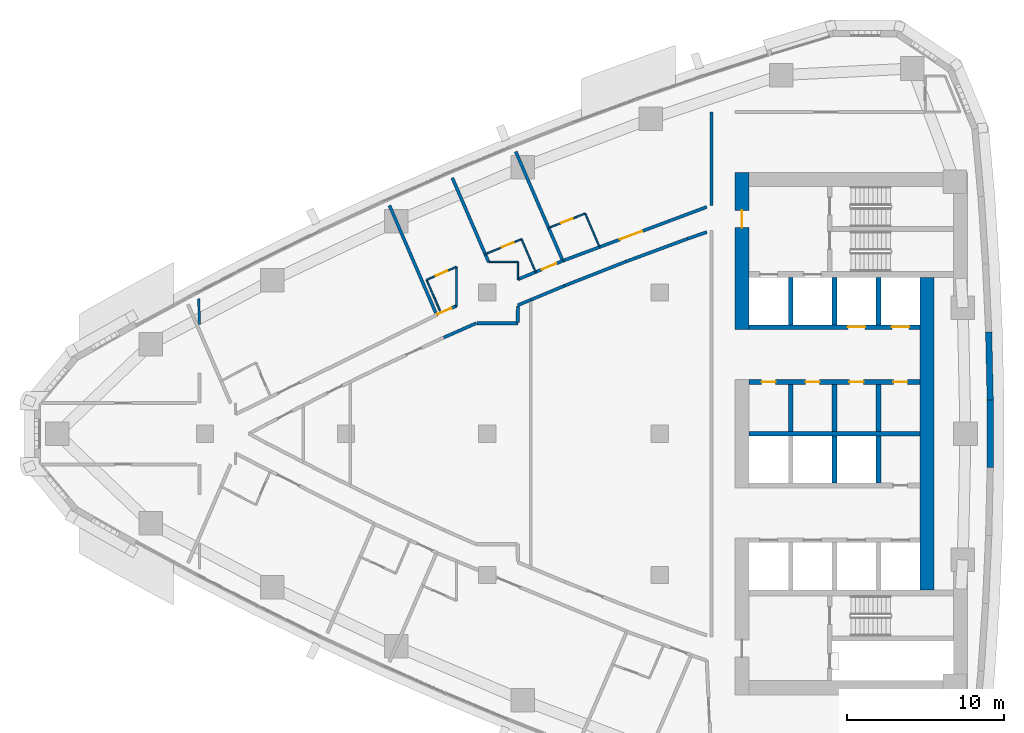
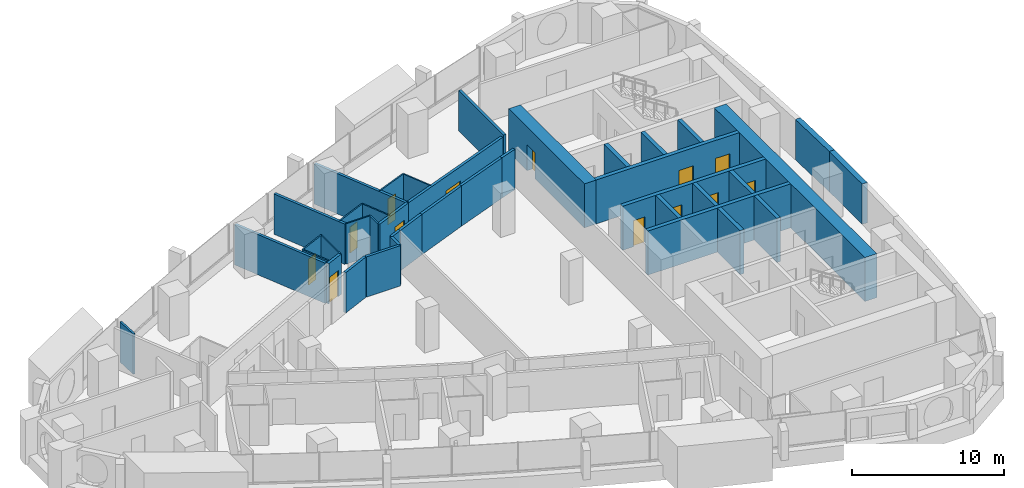
# One storey, part 11 of 17: 40 walls, 13 doors, 13 openings.
"""IFC4 building model written with IfcOpenShell, lengths in metres."""

from ifc_helpers import new_model, si_unit, direction, frame, frame_2d, origin, place, context, subcontext, project, spatial, polyline, rectangle, outline, extrude, material, layer, layer_set, type_object, element, fill, save


model = new_model("IFC4")

# Units and contexts
model_context = context("Model", 3, precision=1e-05, world=origin(), true_north=direction((0.0, 1.0)))
body_context = subcontext(model_context, "Body", "Model", "MODEL_VIEW")
ifc_project = project(units=[si_unit("LENGTHUNIT", "METRE"), si_unit("AREAUNIT", "SQUARE_METRE"), si_unit("VOLUMEUNIT", "CUBIC_METRE"), si_unit("PLANEANGLEUNIT", "RADIAN"), si_unit("MASSUNIT", "GRAM", prefix="KILO")], contexts=[model_context])

# Site, building, storey
site_placement = place(None, origin())
site = spatial("IfcSite", under=ifc_project, at=site_placement, CompositionType="ELEMENT")
building_placement = place(site_placement, origin())
building = spatial("IfcBuilding", under=site, at=building_placement, Name="Ostrand Prow Hotel Tower", CompositionType="ELEMENT")
storey_placement = place(building_placement, frame((0.0, 0.0, 130.199951171875)))
storey = spatial("IfcBuildingStorey", under=building, at=storey_placement, Name="L31", CompositionType="ELEMENT", Elevation=130.199951171875)

# Wall
ifc_material_1 = material(Name="Concrete C70/85", Category="concrete")
ifc_layer_1 = layer(ifc_material_1, 0.300048828125)
ifc_layer_set_1 = layer_set([ifc_layer_1], Name="Concrete C70/85")
wall_type_1 = type_object("IfcWallType", Name="Core wall 300 C70/85", PredefinedType="SHEAR", material=ifc_layer_set_1)
wall_1_placement = place(storey_placement, frame((50.699951171875, 0.0, 0.0), z_axis=(0.0, 0.0, 1.0), x_axis=(1.0, 0.0, 0.0)))
element("IfcWall", 1, at=wall_1_placement, inside=storey, type_object=wall_type_1, Name="Core wall PW-C", PredefinedType="SHEAR", context=body_context, shape_type="SweptSolid", body=[
    extrude(rectangle(XDim=10.900146484375, YDim=0.300048828125, at=frame_2d((5.4501953125, 0.0))), origin(), (0.0, 0.0, 1.0), 3.550048828125),
])

# Wall, openings, doors
wall_2_placement = place(storey_placement, frame((50.699951171875, 3.300048828125, 0.0), z_axis=(0.0, 0.0, 1.0), x_axis=(1.0, 0.0, 0.0)))
wall_2 = element("IfcWall", 2, at=wall_2_placement, inside=storey, type_object=wall_type_1, Name="Core wall PW-L1-N", PredefinedType="SHEAR", context=body_context, shape_type="SweptSolid", body=[
    extrude(rectangle(XDim=10.900146484375, YDim=0.300048828125, at=frame_2d((5.4501953125, 0.0))), origin(), (0.0, 0.0, 1.0), 3.550048828125),
])
opening_1_placement = place(wall_2_placement, frame((0.800048828125, 0.0, 0.0)))
opening_1 = element("IfcOpeningElement", 3, at=opening_1_placement, cuts=wall_2, Name="Opening FD2", PredefinedType="OPENING", context=body_context, shape_type="SweptSolid", body=[
    extrude(rectangle(XDim=0.89990234375, YDim=2.10009765625, at=frame_2d((0.449951171875, 1.050048828125))), frame((0.0, 0.159912109375, 0.0), z_axis=(0.0, -1.0, 0.0), x_axis=(1.0, 0.0, 0.0)), (0.0, 0.0, 1.0), 0.320068359375),
])
opening_2_placement = place(wall_2_placement, frame((3.60009765625, 0.0, 0.0)))
opening_2 = element("IfcOpeningElement", 4, at=opening_2_placement, cuts=wall_2, Name="Opening FD2", PredefinedType="OPENING", context=body_context, shape_type="SweptSolid", body=[
    extrude(rectangle(XDim=0.89990234375, YDim=2.10009765625, at=frame_2d((0.449951171875, 1.050048828125))), frame((0.0, 0.159912109375, 0.0), z_axis=(0.0, -1.0, 0.0), x_axis=(1.0, 0.0, 0.0)), (0.0, 0.0, 1.0), 0.320068359375),
])
opening_3_placement = place(wall_2_placement, frame((6.39990234375, 0.0, 0.0)))
opening_3 = element("IfcOpeningElement", 5, at=opening_3_placement, cuts=wall_2, Name="Opening FD2", PredefinedType="OPENING", context=body_context, shape_type="SweptSolid", body=[
    extrude(rectangle(XDim=0.89990234375, YDim=2.10009765625, at=frame_2d((0.449951171875, 1.050048828125))), frame((0.0, 0.159912109375, 0.0), z_axis=(0.0, -1.0, 0.0), x_axis=(1.0, 0.0, 0.0)), (0.0, 0.0, 1.0), 0.320068359375),
])
opening_4_placement = place(wall_2_placement, frame((9.199951171875, 0.0, 0.0)))
opening_4 = element("IfcOpeningElement", 6, at=opening_4_placement, cuts=wall_2, Name="Opening FD2", PredefinedType="OPENING", context=body_context, shape_type="SweptSolid", body=[
    extrude(rectangle(XDim=0.89990234375, YDim=2.10009765625, at=frame_2d((0.449951171875, 1.050048828125))), frame((0.0, 0.159912109375, 0.0), z_axis=(0.0, -1.0, 0.0), x_axis=(1.0, 0.0, 0.0)), (0.0, 0.0, 1.0), 0.320068359375),
])
ifc_material_2 = material(Name="Steel fire door", Category="steel")
door_type_1 = type_object("IfcDoorType", Name="Fire door 900 EI120", OperationType="SINGLE_SWING_LEFT", PredefinedType="DOOR", material=ifc_material_2)
door_1_placement = place(opening_1_placement, origin())
door_1 = element("IfcDoor", 7, at=door_1_placement, inside=storey, type_object=door_type_1, Name="DOOR", OperationType="SINGLE_SWING_LEFT", OverallHeight=2.10009765625, OverallWidth=0.89990234375, PredefinedType="DOOR", context=body_context, shape_type="SweptSolid", body=[
    extrude(rectangle(XDim=0.89990234375, YDim=2.10009765625, at=frame_2d((0.449951171875, 1.050048828125))), frame((0.0, 0.02490234375, 0.0), z_axis=(0.0, -1.0, 0.0), x_axis=(1.0, 0.0, 0.0)), (0.0, 0.0, 1.0), 0.050048828125),
])
fill(opening_1, door_1)
door_2_placement = place(opening_2_placement, origin())
door_2 = element("IfcDoor", 8, at=door_2_placement, inside=storey, type_object=door_type_1, Name="DOOR", OperationType="SINGLE_SWING_LEFT", OverallHeight=2.10009765625, OverallWidth=0.89990234375, PredefinedType="DOOR", context=body_context, shape_type="SweptSolid", body=[
    extrude(rectangle(XDim=0.89990234375, YDim=2.10009765625, at=frame_2d((0.449951171875, 1.050048828125))), frame((0.0, 0.02490234375, 0.0), z_axis=(0.0, -1.0, 0.0), x_axis=(1.0, 0.0, 0.0)), (0.0, 0.0, 1.0), 0.050048828125),
])
fill(opening_2, door_2)
door_3_placement = place(opening_3_placement, origin())
door_3 = element("IfcDoor", 9, at=door_3_placement, inside=storey, type_object=door_type_1, Name="DOOR", OperationType="SINGLE_SWING_LEFT", OverallHeight=2.10009765625, OverallWidth=0.89990234375, PredefinedType="DOOR", context=body_context, shape_type="SweptSolid", body=[
    extrude(rectangle(XDim=0.89990234375, YDim=2.10009765625, at=frame_2d((0.449951171875, 1.050048828125))), frame((0.0, 0.02490234375, 0.0), z_axis=(0.0, -1.0, 0.0), x_axis=(1.0, 0.0, 0.0)), (0.0, 0.0, 1.0), 0.050048828125),
])
fill(opening_3, door_3)
door_4_placement = place(opening_4_placement, origin())
door_4 = element("IfcDoor", 10, at=door_4_placement, inside=storey, type_object=door_type_1, Name="DOOR", OperationType="SINGLE_SWING_LEFT", OverallHeight=2.10009765625, OverallWidth=0.89990234375, PredefinedType="DOOR", context=body_context, shape_type="SweptSolid", body=[
    extrude(rectangle(XDim=0.89990234375, YDim=2.10009765625, at=frame_2d((0.449951171875, 1.050048828125))), frame((0.0, 0.02490234375, 0.0), z_axis=(0.0, -1.0, 0.0), x_axis=(1.0, 0.0, 0.0)), (0.0, 0.0, 1.0), 0.050048828125),
])
fill(opening_4, door_4)

wall_3_placement = place(storey_placement, frame((50.699951171875, 6.800048828125, 0.0), z_axis=(0.0, 0.0, 1.0), x_axis=(1.0, 0.0, 0.0)))
wall_3 = element("IfcWall", 11, at=wall_3_placement, inside=storey, type_object=wall_type_1, Name="Core wall PW-L2-N", PredefinedType="SHEAR", context=body_context, shape_type="SweptSolid", body=[
    extrude(rectangle(XDim=10.900146484375, YDim=0.300048828125, at=frame_2d((5.4501953125, 0.0))), origin(), (0.0, 0.0, 1.0), 3.550048828125),
])
opening_5_placement = place(wall_3_placement, frame((6.300048828125, 0.0, 0.0)))
opening_5 = element("IfcOpeningElement", 12, at=opening_5_placement, cuts=wall_3, Name="Opening LD", PredefinedType="OPENING", context=body_context, shape_type="SweptSolid", body=[
    extrude(rectangle(XDim=1.10009765625, YDim=2.10009765625, at=frame_2d((0.550048828125, 1.050048828125))), frame((0.0, 0.159912109375, 0.0), z_axis=(0.0, -1.0, 0.0), x_axis=(1.0, 0.0, 0.0)), (0.0, 0.0, 1.0), 0.320068359375),
])
opening_6_placement = place(wall_3_placement, frame((9.10009765625, 0.0, 0.0)))
opening_6 = element("IfcOpeningElement", 13, at=opening_6_placement, cuts=wall_3, Name="Opening LD", PredefinedType="OPENING", context=body_context, shape_type="SweptSolid", body=[
    extrude(rectangle(XDim=1.10009765625, YDim=2.10009765625, at=frame_2d((0.550048828125, 1.050048828125))), frame((0.0, 0.159912109375, 0.0), z_axis=(0.0, -1.0, 0.0), x_axis=(1.0, 0.0, 0.0)), (0.0, 0.0, 1.0), 0.320068359375),
])
ifc_material_3 = material(Name="Stainless steel door", Category="steel")
door_type_2 = type_object("IfcDoorType", Name="Lift landing door 1100", OperationType="DOUBLE_DOOR_SLIDING", PredefinedType="DOOR", material=ifc_material_3)
door_5_placement = place(opening_5_placement, origin())
door_5 = element("IfcDoor", 14, at=door_5_placement, inside=storey, type_object=door_type_2, Name="LIFT LANDING DOOR", OperationType="DOUBLE_DOOR_SLIDING", OverallHeight=2.10009765625, OverallWidth=1.10009765625, PredefinedType="DOOR", context=body_context, shape_type="SweptSolid", body=[
    extrude(rectangle(XDim=1.10009765625, YDim=2.10009765625, at=frame_2d((0.550048828125, 1.050048828125))), frame((0.0, 0.02490234375, 0.0), z_axis=(0.0, -1.0, 0.0), x_axis=(1.0, 0.0, 0.0)), (0.0, 0.0, 1.0), 0.050048828125),
])
fill(opening_5, door_5)
door_6_placement = place(opening_6_placement, origin())
door_6 = element("IfcDoor", 15, at=door_6_placement, inside=storey, type_object=door_type_2, Name="LIFT LANDING DOOR", OperationType="DOUBLE_DOOR_SLIDING", OverallHeight=2.10009765625, OverallWidth=1.10009765625, PredefinedType="DOOR", context=body_context, shape_type="SweptSolid", body=[
    extrude(rectangle(XDim=1.10009765625, YDim=2.10009765625, at=frame_2d((0.550048828125, 1.050048828125))), frame((0.0, 0.02490234375, 0.0), z_axis=(0.0, -1.0, 0.0), x_axis=(1.0, 0.0, 0.0)), (0.0, 0.0, 1.0), 0.050048828125),
])
fill(opening_6, door_6)

# Walls
for number, where, z_axis, x_axis, name in (
    (16, (53.35009765625, 0.14990234375, 0.0), (0.0, 0.0, 1.0), (0.0, 1.0, 0.0), "Core wall PW-R1-NB"),
    (17, (53.35009765625, 6.949951171875, 0.0), (0.0, 0.0, 1.0), (0.0, 1.0, 0.0), "Core wall PW-R1-NA"),
    (18, (56.14990234375, 0.14990234375, 0.0), (0.0, 0.0, 1.0), (0.0, 1.0, 0.0), "Core wall PW-R2-NB"),
    (19, (56.14990234375, 6.949951171875, 0.0), (0.0, 0.0, 1.0), (0.0, 1.0, 0.0), "Core wall PW-R2-NA"),
    (20, (58.949951171875, 0.14990234375, 0.0), (0.0, 0.0, 1.0), (0.0, 1.0, 0.0), "Core wall PW-R3-NB"),
    (21, (58.949951171875, 6.949951171875, 0.0), (0.0, 0.0, 1.0), (0.0, 1.0, 0.0), "Core wall PW-R3-NA"),
    (22, (56.14990234375, -3.14990234375, 0.0), (0.0, 0.0, 1.0), (0.0, 1.0, 0.0), "Core wall PW-R2-SB"),
    (23, (58.949951171875, -3.14990234375, 0.0), (0.0, 0.0, 1.0), (0.0, 1.0, 0.0), "Core wall PW-R3-SB"),
):
    element("IfcWall", number, at=place(storey_placement, frame(where, z_axis=z_axis, x_axis=x_axis)), inside=storey, type_object=wall_type_1, Name=name, PredefinedType="SHEAR", context=body_context, shape_type="SweptSolid", body=[
        extrude(rectangle(XDim=3.0, YDim=0.300048828125, at=frame_2d((1.5, 0.0))), origin(), (0.0, 0.0, 1.0), 3.550048828125),
    ])

# Wall, opening, door
ifc_material_4 = material(Name="Concrete C70/85", Category="concrete")
ifc_layer_2 = layer(ifc_material_4, 0.89990234375)
ifc_layer_set_2 = layer_set([ifc_layer_2], Name="Concrete C70/85")
wall_type_2 = type_object("IfcWallType", Name="Core wall 900 C70/85", PredefinedType="SHEAR", material=ifc_layer_set_2)
wall_4_placement = place(storey_placement, frame((50.25, 6.64990234375, 0.0), z_axis=(0.0, 0.0, 1.0), x_axis=(0.0, 1.0, 0.0)))
wall_4 = element("IfcWall", 24, at=wall_4_placement, inside=storey, type_object=wall_type_2, Name="Core wall CW-W-N", PredefinedType="SHEAR", context=body_context, shape_type="SweptSolid", body=[
    extrude(rectangle(XDim=10.0, YDim=0.89990234375, at=frame_2d((5.0, 0.0))), origin(), (0.0, 0.0, 1.0), 3.550048828125),
])
opening_7_placement = place(wall_4_placement, frame((6.5, 0.0, 0.0)))
opening_7 = element("IfcOpeningElement", 25, at=opening_7_placement, cuts=wall_4, Name="Opening FD1", PredefinedType="OPENING", context=body_context, shape_type="SweptSolid", body=[
    extrude(rectangle(XDim=1.10009765625, YDim=2.10009765625, at=frame_2d((0.550048828125, 1.050048828125))), frame((0.0, 0.4599609375, 0.0), z_axis=(0.0, -1.0, 0.0), x_axis=(1.0, 0.0, 0.0)), (0.0, 0.0, 1.0), 0.919921875),
])
ifc_material_5 = material(Name="Steel fire door", Category="steel")
door_type_3 = type_object("IfcDoorType", Name="Fire door 1100 EI120", OperationType="SINGLE_SWING_RIGHT", PredefinedType="DOOR", material=ifc_material_5)
door_7_placement = place(opening_7_placement, origin())
door_7 = element("IfcDoor", 26, at=door_7_placement, inside=storey, type_object=door_type_3, Name="FIRE DOOR", OperationType="SINGLE_SWING_RIGHT", OverallHeight=2.10009765625, OverallWidth=1.10009765625, PredefinedType="DOOR", context=body_context, shape_type="SweptSolid", body=[
    extrude(rectangle(XDim=1.10009765625, YDim=2.10009765625, at=frame_2d((0.550048828125, 1.050048828125))), frame((0.0, 0.02490234375, 0.0), z_axis=(0.0, -1.0, 0.0), x_axis=(1.0, 0.0, 0.0)), (0.0, 0.0, 1.0), 0.050048828125),
])
fill(opening_7, door_7)

# Wall
wall_5_placement = place(storey_placement, frame((62.050048828125, -9.949951171875, 0.0), z_axis=(0.0, 0.0, 1.0), x_axis=(0.0, 1.0, 0.0)))
element("IfcWall", 27, at=wall_5_placement, inside=storey, type_object=wall_type_2, Name="Core wall CW-E-C", PredefinedType="SHEAR", context=body_context, shape_type="SweptSolid", body=[
    extrude(rectangle(XDim=19.89990234375, YDim=0.89990234375, at=frame_2d((9.949951171875, 0.0))), origin(), (0.0, 0.0, 1.0), 3.550048828125),
])

# Wall, opening, door
ifc_material_6 = material(Name="Plasterboard partition")
ifc_layer_3 = layer(ifc_material_6, 0.10009765625)
ifc_layer_set_3 = layer_set([ifc_layer_3], Name="Plasterboard partition")
wall_type_3 = type_object("IfcWallType", Name="Partition 100 bathroom wall", PredefinedType="PARTITIONING", material=ifc_layer_set_3)
wall_6_placement = place(storey_placement, frame((30.144287109375, 9.80859375, 0.0), z_axis=(0.0, 0.0, 1.0), x_axis=(0.915122534717, 0.40317582573, 0.0)))
wall_6 = element("IfcWall", 28, at=wall_6_placement, inside=storey, type_object=wall_type_3, Name="BATHROOM WALL", PredefinedType="PARTITIONING", context=body_context, shape_type="SweptSolid", body=[
    extrude(rectangle(XDim=2.058349609375, YDim=0.10009765625, at=frame_2d((1.029296875, 0.0))), origin(), (0.0, 0.0, 1.0), 3.25),
])
opening_8_placement = place(wall_6_placement, frame((0.64990234375, 0.0, 0.0)))
opening_8 = element("IfcOpeningElement", 29, at=opening_8_placement, cuts=wall_6, Name="Opening D2", PredefinedType="OPENING", context=body_context, shape_type="SweptSolid", body=[
    extrude(rectangle(XDim=0.800048828125, YDim=2.10009765625, at=frame_2d((0.39990234375, 1.050048828125))), frame((0.0, 0.06005859375, 0.0), z_axis=(0.0, -1.0, 0.0), x_axis=(1.0, 0.0, 0.0)), (0.0, 0.0, 1.0), 0.1201171875),
])
ifc_material_7 = material(Name="Timber door leaf", Category="wood")
door_type_4 = type_object("IfcDoorType", Name="Bathroom door 800", OperationType="SINGLE_SWING_LEFT", PredefinedType="DOOR", material=ifc_material_7)
door_8_placement = place(opening_8_placement, origin())
door_8 = element("IfcDoor", 30, at=door_8_placement, inside=storey, type_object=door_type_4, Name="DOOR", OperationType="SINGLE_SWING_LEFT", OverallHeight=2.10009765625, OverallWidth=0.800048828125, PredefinedType="DOOR", context=body_context, shape_type="SweptSolid", body=[
    extrude(rectangle(XDim=0.800048828125, YDim=2.10009765625, at=frame_2d((0.39990234375, 1.050048828125))), frame((0.0, 0.02490234375, 0.0), z_axis=(0.0, -1.0, 0.0), x_axis=(1.0, 0.0, 0.0)), (0.0, 0.0, 1.0), 0.050048828125),
])
fill(opening_8, door_8)

# Wall
wall_7_placement = place(storey_placement, frame((30.990478515625, 7.84619140625, 0.0), z_axis=(0.0, 0.0, 1.0), x_axis=(-0.396055229638, 0.918226690462, 0.0)))
element("IfcWall", 31, at=wall_7_placement, inside=storey, type_object=wall_type_3, Name="BATHROOM WALL", PredefinedType="PARTITIONING", context=body_context, shape_type="SweptSolid", body=[
    extrude(rectangle(XDim=2.13720703125, YDim=0.10009765625, at=frame_2d((1.068603515625, 0.0))), origin(), (0.0, 0.0, 1.0), 3.25),
])

# Wall, opening, door
wall_8_placement = place(storey_placement, frame((33.87744140625, 11.4462890625, 0.0), z_axis=(0.0, 0.0, 1.0), x_axis=(0.923033583854, 0.384719382248, 0.0)))
wall_8 = element("IfcWall", 32, at=wall_8_placement, inside=storey, type_object=wall_type_3, Name="BATHROOM WALL", PredefinedType="PARTITIONING", context=body_context, shape_type="SweptSolid", body=[
    extrude(rectangle(XDim=2.500244140625, YDim=0.10009765625, at=frame_2d((1.25, 0.0))), origin(), (0.0, 0.0, 1.0), 3.25),
])
opening_9_placement = place(wall_8_placement, frame((1.14990234375, 0.0, 0.0)))
opening_9 = element("IfcOpeningElement", 33, at=opening_9_placement, cuts=wall_8, Name="Opening D2", PredefinedType="OPENING", context=body_context, shape_type="SweptSolid", body=[
    extrude(rectangle(XDim=0.800048828125, YDim=2.10009765625, at=frame_2d((0.39990234375, 1.050048828125))), frame((0.0, 0.06005859375, 0.0), z_axis=(0.0, -1.0, 0.0), x_axis=(1.0, 0.0, 0.0)), (0.0, 0.0, 1.0), 0.1201171875),
])
door_9_placement = place(opening_9_placement, origin())
door_9 = element("IfcDoor", 34, at=door_9_placement, inside=storey, type_object=door_type_4, Name="DOOR", OperationType="SINGLE_SWING_LEFT", OverallHeight=2.10009765625, OverallWidth=0.800048828125, PredefinedType="DOOR", context=body_context, shape_type="SweptSolid", body=[
    extrude(rectangle(XDim=0.800048828125, YDim=2.10009765625, at=frame_2d((0.39990234375, 1.050048828125))), frame((0.0, 0.02490234375, 0.0), z_axis=(0.0, -1.0, 0.0), x_axis=(1.0, 0.0, 0.0)), (0.0, 0.0, 1.0), 0.050048828125),
])
fill(opening_9, door_9)

# Wall
wall_9_placement = place(storey_placement, frame((36.185302734375, 12.408203125, 0.0), z_axis=(0.0, 0.0, 1.0), x_axis=(0.395936907069, -0.918277717045, 0.0)))
element("IfcWall", 35, at=wall_9_placement, inside=storey, type_object=wall_type_3, Name="BATHROOM WALL", PredefinedType="PARTITIONING", context=body_context, shape_type="SweptSolid", body=[
    extrude(rectangle(XDim=2.277099609375, YDim=0.10009765625, at=frame_2d((1.138671875, 0.0))), origin(), (0.0, 0.0, 1.0), 3.25),
])

# Wall, opening, door
wall_10_placement = place(storey_placement, frame((37.921142578125, 13.122314453125, 0.0), z_axis=(0.0, 0.0, 1.0), x_axis=(0.930555592459, 0.366150637503, 0.0)))
wall_10 = element("IfcWall", 36, at=wall_10_placement, inside=storey, type_object=wall_type_3, Name="BATHROOM WALL", PredefinedType="PARTITIONING", context=body_context, shape_type="SweptSolid", body=[
    extrude(rectangle(XDim=2.5009765625, YDim=0.10009765625, at=frame_2d((1.25048828125, 0.0))), origin(), (0.0, 0.0, 1.0), 3.25),
])
opening_10_placement = place(wall_10_placement, frame((0.85009765625, 0.0, 0.0)))
opening_10 = element("IfcOpeningElement", 37, at=opening_10_placement, cuts=wall_10, Name="Opening D2", PredefinedType="OPENING", context=body_context, shape_type="SweptSolid", body=[
    extrude(rectangle(XDim=0.800048828125, YDim=2.10009765625, at=frame_2d((0.39990234375, 1.050048828125))), frame((0.0, 0.06005859375, 0.0), z_axis=(0.0, -1.0, 0.0), x_axis=(1.0, 0.0, 0.0)), (0.0, 0.0, 1.0), 0.1201171875),
])
door_10_placement = place(opening_10_placement, origin())
door_10 = element("IfcDoor", 38, at=door_10_placement, inside=storey, type_object=door_type_4, Name="DOOR", OperationType="SINGLE_SWING_LEFT", OverallHeight=2.10009765625, OverallWidth=0.800048828125, PredefinedType="DOOR", context=body_context, shape_type="SweptSolid", body=[
    extrude(rectangle(XDim=0.800048828125, YDim=2.10009765625, at=frame_2d((0.39990234375, 1.050048828125))), frame((0.0, 0.02490234375, 0.0), z_axis=(0.0, -1.0, 0.0), x_axis=(1.0, 0.0, 0.0)), (0.0, 0.0, 1.0), 0.050048828125),
])
fill(opening_10, door_10)

# Walls
wall_11_placement = place(storey_placement, frame((40.248779296875, 14.0380859375, 0.0), z_axis=(0.0, 0.0, 1.0), x_axis=(0.39596178423, -0.918266990275, 0.0)))
element("IfcWall", 39, at=wall_11_placement, inside=storey, type_object=wall_type_3, Name="BATHROOM WALL", PredefinedType="PARTITIONING", context=body_context, shape_type="SweptSolid", body=[
    extrude(rectangle(XDim=2.2783203125, YDim=0.10009765625, at=frame_2d((1.13916015625, 0.0))), origin(), (0.0, 0.0, 1.0), 3.25),
])
wall_12_placement = place(storey_placement, frame((32.044921875, 10.6611328125, 0.0), z_axis=(0.0, 0.0, 1.0), x_axis=(0.0, -1.0, 0.0)))
element("IfcWall", 40, at=wall_12_placement, inside=storey, type_object=wall_type_3, Name="BATHROOM WALL", PredefinedType="PARTITIONING", context=body_context, shape_type="SweptSolid", body=[
    extrude(rectangle(XDim=2.52294921875, YDim=0.10009765625, at=frame_2d((1.261474609375, 0.0))), origin(), (0.0, 0.0, 1.0), 3.25),
])
wall_13_placement = place(storey_placement, frame((35.95703125, 9.82666015625, 0.0), z_axis=(0.0, 0.0, 1.0), x_axis=(-0.003465432949, 0.999993995369, 0.0)))
element("IfcWall", 41, at=wall_13_placement, inside=storey, type_object=wall_type_3, Name="BATHROOM WALL", PredefinedType="PARTITIONING", context=body_context, shape_type="SweptSolid", body=[
    extrude(rectangle(XDim=1.127197265625, YDim=0.10009765625, at=frame_2d((0.5634765625, 0.0))), origin(), (0.0, 0.0, 1.0), 3.25),
])
wall_14_placement = place(storey_placement, frame((35.953125, 10.953857421875, 0.0), z_axis=(0.0, 0.0, 1.0), x_axis=(-0.999999785511, 0.000654964491, 0.0)))
element("IfcWall", 42, at=wall_14_placement, inside=storey, type_object=wall_type_3, Name="BATHROOM WALL", PredefinedType="PARTITIONING", context=body_context, shape_type="SweptSolid", body=[
    extrude(rectangle(XDim=1.86376953125, YDim=0.10009765625, at=frame_2d((0.931884765625, 0.0))), origin(), (0.0, 0.0, 1.0), 3.25),
])
ifc_material_8 = material(Name="Plasterboard partition")
ifc_layer_4 = layer(ifc_material_8, 0.14990234375)
ifc_layer_set_4 = layer_set([ifc_layer_4], Name="Plasterboard partition")
wall_type_4 = type_object("IfcWallType", Name="Partition 150 room partition", PredefinedType="PARTITIONING", material=ifc_layer_set_4)
wall_15_placement = place(storey_placement, frame((15.603759765625, 8.60888671875, 0.0), z_axis=(0.0, 0.0, 1.0), x_axis=(0.033196927484, -0.999448830109, 0.0)))
element("IfcWall", 43, at=wall_15_placement, inside=storey, type_object=wall_type_4, Name="ROOM PARTITION", PredefinedType="PARTITIONING", context=body_context, shape_type="SweptSolid", body=[
    extrude(rectangle(XDim=1.65478515625, YDim=0.14990234375, at=frame_2d((0.827392578125, 0.0))), origin(), (0.0, 0.0, 1.0), 3.25),
])

# Wall, opening, door
ifc_material_9 = material(Name="Plasterboard partition")
ifc_layer_5 = layer(ifc_material_9, 0.199951171875)
ifc_layer_set_5 = layer_set([ifc_layer_5], Name="Plasterboard partition")
wall_type_5 = type_object("IfcWallType", Name="Partition 200 corridor wall", PredefinedType="PARTITIONING", material=ifc_layer_set_5)
wall_16_placement = place(storey_placement, frame((32.050048828125, 8.15673828125, 0.0), z_axis=(0.0, 0.0, 1.0), x_axis=(-0.915155082005, -0.403101942293, 0.0)))
wall_16 = element("IfcWall", 44, at=wall_16_placement, inside=storey, type_object=wall_type_5, Name="CORRIDOR WALL", PredefinedType="PARTITIONING", context=body_context, shape_type="SweptSolid", body=[
    extrude(rectangle(XDim=1.39599609375, YDim=0.199951171875, at=frame_2d((0.697998046875, 0.0))), origin(), (0.0, 0.0, 1.0), 3.25),
])
opening_11_placement = place(wall_16_placement, frame((0.345947265625, 0.0, 0.0)))
opening_11 = element("IfcOpeningElement", 45, at=opening_11_placement, cuts=wall_16, Name="Opening D1R", PredefinedType="OPENING", context=body_context, shape_type="SweptSolid", body=[
    extrude(rectangle(XDim=1.0, YDim=2.10009765625, at=frame_2d((0.5, 1.050048828125))), frame((0.0, 0.10986328125, 0.0), z_axis=(0.0, -1.0, 0.0), x_axis=(1.0, 0.0, 0.0)), (0.0, 0.0, 1.0), 0.219970703125),
])
ifc_material_10 = material(Name="Timber door leaf", Category="wood")
door_type_5 = type_object("IfcDoorType", Name="Guest room door 1000 right", OperationType="SINGLE_SWING_RIGHT", PredefinedType="DOOR", material=ifc_material_10)
door_11_placement = place(opening_11_placement, origin())
door_11 = element("IfcDoor", 46, at=door_11_placement, inside=storey, type_object=door_type_5, Name="DOOR", OperationType="SINGLE_SWING_RIGHT", OverallHeight=2.10009765625, OverallWidth=1.0, PredefinedType="DOOR", context=body_context, shape_type="SweptSolid", body=[
    extrude(rectangle(XDim=1.0, YDim=2.10009765625, at=frame_2d((0.5, 1.050048828125))), frame((0.0, 0.02490234375, 0.0), z_axis=(0.0, -1.0, 0.0), x_axis=(1.0, 0.0, 0.0)), (0.0, 0.0, 1.0), 0.050048828125),
])
fill(opening_11, door_11)

wall_17_placement = place(storey_placement, frame((38.824462890625, 11.027587890625, 0.0), z_axis=(0.0, 0.0, 1.0), x_axis=(-0.924238544028, -0.381815549359, 0.0)))
wall_17 = element("IfcWall", 47, at=wall_17_placement, inside=storey, type_object=wall_type_5, Name="CORRIDOR WALL", PredefinedType="PARTITIONING", context=body_context, shape_type="SweptSolid", body=[
    extrude(rectangle(XDim=3.110107421875, YDim=0.199951171875, at=frame_2d((1.55517578125, 0.0))), origin(), (0.0, 0.0, 1.0), 3.25),
])
opening_12_placement = place(wall_17_placement, frame((0.449951171875, 0.0, 0.0)))
opening_12 = element("IfcOpeningElement", 48, at=opening_12_placement, cuts=wall_17, Name="Opening D1R", PredefinedType="OPENING", context=body_context, shape_type="SweptSolid", body=[
    extrude(rectangle(XDim=1.0, YDim=2.10009765625, at=frame_2d((0.5, 1.050048828125))), frame((0.0, 0.10986328125, 0.0), z_axis=(0.0, -1.0, 0.0), x_axis=(1.0, 0.0, 0.0)), (0.0, 0.0, 1.0), 0.219970703125),
])
door_12_placement = place(opening_12_placement, origin())
door_12 = element("IfcDoor", 49, at=door_12_placement, inside=storey, type_object=door_type_5, Name="DOOR", OperationType="SINGLE_SWING_RIGHT", OverallHeight=2.10009765625, OverallWidth=1.0, PredefinedType="DOOR", context=body_context, shape_type="SweptSolid", body=[
    extrude(rectangle(XDim=1.0, YDim=2.10009765625, at=frame_2d((0.5, 1.050048828125))), frame((0.0, 0.02490234375, 0.0), z_axis=(0.0, -1.0, 0.0), x_axis=(1.0, 0.0, 0.0)), (0.0, 0.0, 1.0), 0.050048828125),
])
fill(opening_12, door_12)

# Walls
wall_18_placement = place(storey_placement, frame((31.231201171875, 6.135009765625, 0.0), z_axis=(0.0, 0.0, 1.0), x_axis=(0.915102334452, 0.403221672881, 0.0)))
element("IfcWall", 50, at=wall_18_placement, inside=storey, type_object=wall_type_5, Name="CORRIDOR WALL", PredefinedType="PARTITIONING", context=body_context, shape_type="SweptSolid", body=[
    extrude(rectangle(XDim=2.269287109375, YDim=0.199951171875, at=frame_2d((1.134765625, 0.0))), origin(), (0.0, 0.0, 1.0), 3.25),
])
wall_19_placement = place(storey_placement, frame((35.949951171875, 8.193115234375, 0.0), z_axis=(0.0, 0.0, 1.0), x_axis=(0.922997009646, 0.384807120756, 0.0)))
element("IfcWall", 51, at=wall_19_placement, inside=storey, type_object=wall_type_5, Name="CORRIDOR WALL", PredefinedType="PARTITIONING", context=body_context, shape_type="SweptSolid", body=[
    extrude(rectangle(XDim=0.904052734375, YDim=0.199951171875, at=frame_2d((0.4521484375, 0.0))), origin(), (0.0, 0.0, 1.0), 3.25),
])
for number, where, z_axis, x_axis, name in (
    (52, (38.943115234375, 9.44091796875, 0.0), (0.0, 0.0, 1.0), (0.930576677263, 0.36609704688, 0.0), "CORRIDOR WALL"),
    (53, (42.84716796875, 10.976806640625, 0.0), (0.0, 0.0, 1.0), (0.937732614305, 0.347357948044, 0.0), "CORRIDOR WALL"),
):
    element("IfcWall", number, at=place(storey_placement, frame(where, z_axis=z_axis, x_axis=x_axis)), inside=storey, type_object=wall_type_5, Name=name, PredefinedType="PARTITIONING", context=body_context, shape_type="SweptSolid", body=[
        extrude(rectangle(XDim=4.1953125, YDim=0.199951171875, at=frame_2d((2.09765625, 0.0))), origin(), (0.0, 0.0, 1.0), 3.25),
    ])
wall_20_placement = place(storey_placement, frame((36.784423828125, 8.541015625, 0.0), z_axis=(0.0, 0.0, 1.0), x_axis=(0.923008963065, 0.384778448073, 0.0)))
element("IfcWall", 54, at=wall_20_placement, inside=storey, type_object=wall_type_5, Name="CORRIDOR WALL", PredefinedType="PARTITIONING", context=body_context, shape_type="SweptSolid", body=[
    extrude(rectangle(XDim=2.3388671875, YDim=0.199951171875, at=frame_2d((1.16943359375, 0.0))), origin(), (0.0, 0.0, 1.0), 3.25),
])

# Wall, opening, door
wall_21_placement = place(storey_placement, frame((48.0, 14.459228515625, 0.0), z_axis=(0.0, 0.0, 1.0), x_axis=(-0.936637096294, -0.350301227297, 0.0)))
wall_21 = element("IfcWall", 55, at=wall_21_placement, inside=storey, type_object=wall_type_5, Name="CORRIDOR WALL", PredefinedType="PARTITIONING", context=body_context, shape_type="SweptSolid", body=[
    extrude(rectangle(XDim=9.796142578125, YDim=0.199951171875, at=frame_2d((4.89794921875, 0.0))), origin(), (0.0, 0.0, 1.0), 3.25),
])
opening_13_placement = place(wall_21_placement, frame((4.39794921875, 0.0, 0.0)))
opening_13 = element("IfcOpeningElement", 56, at=opening_13_placement, cuts=wall_21, Name="Opening D15", PredefinedType="OPENING", context=body_context, shape_type="SweptSolid", body=[
    extrude(rectangle(XDim=1.5, YDim=2.10009765625, at=frame_2d((0.75, 1.050048828125))), frame((0.0, 0.10986328125, 0.0), z_axis=(0.0, -1.0, 0.0), x_axis=(1.0, 0.0, 0.0)), (0.0, 0.0, 1.0), 0.219970703125),
])
ifc_material_11 = material(Name="Timber door leaf", Category="wood")
door_type_6 = type_object("IfcDoorType", Name="Double door 1500", OperationType="DOUBLE_DOOR_SINGLE_SWING", PredefinedType="DOOR", material=ifc_material_11)
door_13_placement = place(opening_13_placement, origin())
door_13 = element("IfcDoor", 57, at=door_13_placement, inside=storey, type_object=door_type_6, Name="DOOR", OperationType="DOUBLE_DOOR_SINGLE_SWING", OverallHeight=2.10009765625, OverallWidth=1.5, PredefinedType="DOOR", context=body_context, shape_type="SweptSolid", body=[
    extrude(rectangle(XDim=1.5, YDim=2.10009765625, at=frame_2d((0.75, 1.050048828125))), frame((0.0, 0.02490234375, 0.0), z_axis=(0.0, -1.0, 0.0), x_axis=(1.0, 0.0, 0.0)), (0.0, 0.0, 1.0), 0.050048828125),
])
fill(opening_13, door_13)

# Walls
wall_22_placement = place(storey_placement, frame((46.78125, 12.43408203125, 0.0), z_axis=(0.0, 0.0, 1.0), x_axis=(0.944517215109, 0.328461916152, 0.0)))
element("IfcWall", 58, at=wall_22_placement, inside=storey, type_object=wall_type_5, Name="CORRIDOR WALL", PredefinedType="PARTITIONING", context=body_context, shape_type="SweptSolid", body=[
    extrude(rectangle(XDim=1.290283203125, YDim=0.199951171875, at=frame_2d((0.64501953125, 0.0))), origin(), (0.0, 0.0, 1.0), 3.25),
])
wall_23_placement = place(storey_placement, frame((33.347412109375, 7.044921875, 0.0), z_axis=(0.0, 0.0, 1.0), x_axis=(0.999999982426, 0.000187476562, 0.0)))
element("IfcWall", 59, at=wall_23_placement, inside=storey, type_object=wall_type_5, Name="CORRIDOR WALL", PredefinedType="PARTITIONING", context=body_context, shape_type="SweptSolid", body=[
    extrude(rectangle(XDim=2.6044921875, YDim=0.199951171875, at=frame_2d((1.30224609375, 0.0))), origin(), (0.0, 0.0, 1.0), 3.25),
])
wall_24_placement = place(storey_placement, frame((35.951904296875, 7.08544921875, 0.0), z_axis=(0.0, 0.0, 1.0), x_axis=(0.002742846825, 0.999996238389, 0.0)))
element("IfcWall", 60, at=wall_24_placement, inside=storey, type_object=wall_type_5, Name="CORRIDOR WALL", PredefinedType="PARTITIONING", context=body_context, shape_type="SweptSolid", body=[
    extrude(rectangle(XDim=1.068115234375, YDim=0.199951171875, at=frame_2d((0.5341796875, 0.0))), origin(), (0.0, 0.0, 1.0), 3.25),
])
wall_25_placement = place(storey_placement, frame((48.295166015625, 20.5009765625, 0.0), z_axis=(0.0, 0.0, 1.0), x_axis=(-4.1050903e-05, -0.999999999157, 0.0)))
element("IfcWall", 61, at=wall_25_placement, inside=storey, type_object=wall_type_5, Name="CORRIDOR WALL", PredefinedType="PARTITIONING", context=body_context, shape_type="SweptSolid", body=[
    extrude(rectangle(XDim=5.947265625, YDim=0.199951171875, at=frame_2d((2.9736328125, 0.0))), origin(), (0.0, 0.0, 1.0), 3.25),
])
ifc_material_12 = material(Name="Plasterboard partition")
ifc_layer_6 = layer(ifc_material_12, 0.199951171875)
ifc_layer_set_6 = layer_set([ifc_layer_6], Name="Plasterboard partition")
wall_type_6 = type_object("IfcWallType", Name="Partition 200 key partition", PredefinedType="PARTITIONING", material=ifc_layer_set_6)
wall_26_placement = place(storey_placement, frame((30.717041015625, 7.722412109375, 0.0), z_axis=(0.0, 0.0, 1.0), x_axis=(-0.395993466394, 0.918253328104, 0.0)))
element("IfcWall", 62, at=wall_26_placement, inside=storey, type_object=wall_type_6, Name="KEY PARTITION", PredefinedType="PARTITIONING", context=body_context, shape_type="SweptSolid", body=[
    extrude(rectangle(XDim=7.440185546875, YDim=0.199951171875, at=frame_2d((3.72021484375, 0.0))), origin(), (0.0, 0.0, 1.0), 3.25),
])
wall_27_placement = place(storey_placement, frame((34.091552734375, 10.949951171875, 0.0), z_axis=(0.0, 0.0, 1.0), x_axis=(-0.395991607501, 0.918254129742, 0.0)))
element("IfcWall", 63, at=wall_27_placement, inside=storey, type_object=wall_type_6, Name="KEY PARTITION", PredefinedType="PARTITIONING", context=body_context, shape_type="SweptSolid", body=[
    extrude(rectangle(XDim=5.841064453125, YDim=0.199951171875, at=frame_2d((2.92041015625, 0.0))), origin(), (0.0, 0.0, 1.0), 3.25),
])
wall_28_placement = place(storey_placement, frame((38.832275390625, 11.00927734375, 0.0), z_axis=(0.0, 0.0, 1.0), x_axis=(-0.395987603644, 0.918255856371, 0.0)))
element("IfcWall", 64, at=wall_28_placement, inside=storey, type_object=wall_type_6, Name="KEY PARTITION", PredefinedType="PARTITIONING", context=body_context, shape_type="SweptSolid", body=[
    extrude(rectangle(XDim=7.603759765625, YDim=0.199951171875, at=frame_2d((3.8017578125, 0.0))), origin(), (0.0, 0.0, 1.0), 3.25),
])
ifc_material_13 = material(Name="Precast concrete C40/50", Category="concrete")
ifc_layer_7 = layer(ifc_material_13, 0.39990234375)
ifc_layer_set_7 = layer_set([ifc_layer_7], Name="Precast concrete C40/50")
wall_type_7 = type_object("IfcWallType", Name="Stone-faced precast wall 400 mm", PredefinedType="NOTDEFINED", material=ifc_layer_set_7)
wall_29_placement = place(storey_placement, frame((66.07568359375, -2.16455078125, 0.0), z_axis=(0.0, 0.0, 1.0), x_axis=(0.0, 1.0, 0.0)))
element("IfcWall", 65, at=wall_29_placement, inside=storey, type_object=wall_type_7, Name="Stone-faced wall back 9", PredefinedType="NOTDEFINED", context=body_context, shape_type="SweptSolid", body=[
    extrude(outline(polyline([(-0.002197265625, -0.199951171875), (4.331298828125, -0.199951171875), (4.326904296875, 0.199951171875), (0.002197265625, 0.199951171875), (-0.002197265625, -0.199951171875)])), origin(), (0.0, 0.0, 1.0), 3.25),
])
wall_30_placement = place(storey_placement, frame((66.07568359375, 2.16455078125, 0.0), z_axis=(0.0, 0.0, 1.0), x_axis=(-0.02261635063, 0.99974421763, 0.0)))
element("IfcWall", 66, at=wall_30_placement, inside=storey, type_object=wall_type_7, Name="Stone-faced wall back 10", PredefinedType="NOTDEFINED", context=body_context, shape_type="SweptSolid", body=[
    extrude(outline(polyline([(-0.002197265625, -0.199951171875), (4.3310546875, -0.199951171875), (4.32666015625, 0.199951171875), (0.002197265625, 0.199951171875), (-0.002197265625, -0.199951171875)])), origin(), (0.0, 0.0, 1.0), 3.25),
])

save(model, "model.ifc")
